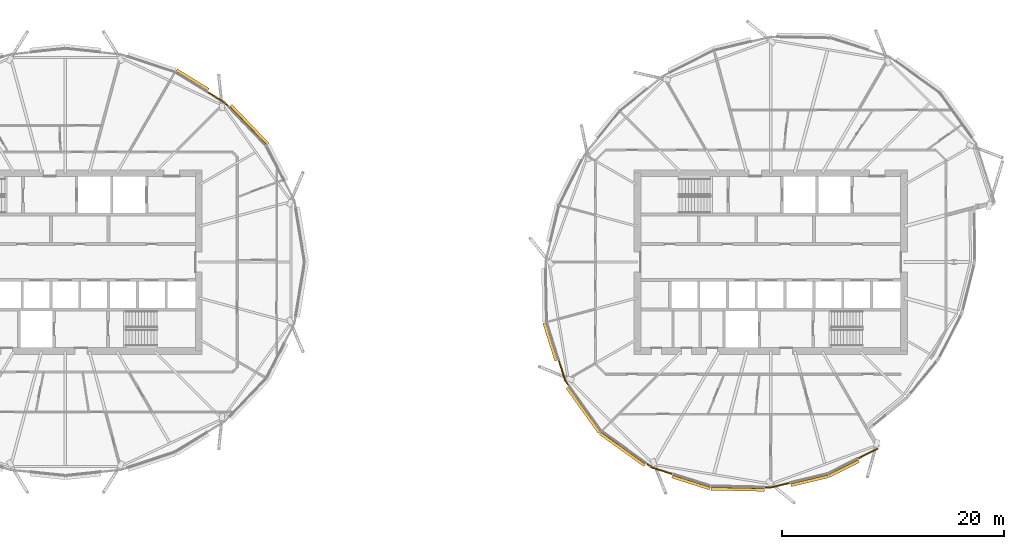
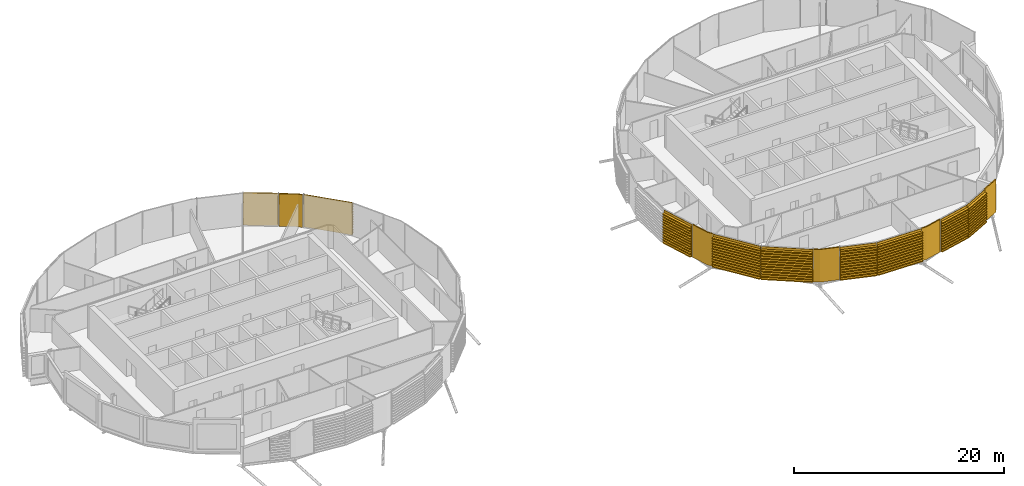
# One storey, part 34 of 36: 14 coverings.
"""IFC4 building model written with IfcOpenShell, lengths in metres."""

from ifc_helpers import new_model, si_unit, direction, frame, origin, place, context, subcontext, project, spatial, polyline, outline, extrude, material, layer, layer_set, material_profile, profile_set, type_object, element, save


model = new_model("IFC4")

# Units and contexts
model_context = context("Model", 3, precision=1e-05, world=origin(), true_north=direction((0.0, 1.0)))
body_context = subcontext(model_context, "Body", "Model", "MODEL_VIEW")
ifc_project = project(units=[si_unit("LENGTHUNIT", "METRE"), si_unit("AREAUNIT", "SQUARE_METRE"), si_unit("VOLUMEUNIT", "CUBIC_METRE"), si_unit("PLANEANGLEUNIT", "RADIAN"), si_unit("MASSUNIT", "GRAM", prefix="KILO")], contexts=[model_context])

# Site, building, storey
site_placement = place(None, origin())
site = spatial("IfcSite", under=ifc_project, at=site_placement, CompositionType="ELEMENT")
building_placement = place(site_placement, origin())
building = spatial("IfcBuilding", under=site, at=building_placement, Name="Rimbun Link Towers", CompositionType="ELEMENT")
storey_placement = place(building_placement, frame((0.0, 0.0, 200.699951171875)))
storey = spatial("IfcBuildingStorey", under=building, at=storey_placement, Name="L49", CompositionType="ELEMENT", Elevation=200.699951171875)

# Coverings
ifc_material_1 = material(Name="Terracotta", Category="masonry")
ifc_layer = layer(ifc_material_1, 0.1201171875)
ifc_layer_set = layer_set([ifc_layer], Name="LINK PIER terracotta cladding 120")
covering_type_1 = type_object("IfcCoveringType", Name="LINK PIER terracotta cladding 120", PredefinedType="CLADDING", material=ifc_layer_set)
covering_1_placement = place(storey_placement, origin())
element("IfcCovering", 1, at=covering_1_placement, inside=storey, type_object=covering_type_1, Name="LINK PIER cladding", PredefinedType="CLADDING", context=body_context, shape_type="SweptSolid", body=[
    extrude(outline(polyline([(-18.99267578125, 15.2607421875), (-17.441650390625, 14.308349609375), (-17.081787109375, 13.93310546875), (-16.9951171875, 14.01611328125), (-17.36572265625, 14.402587890625), (-18.9296875, 15.363037109375), (-18.99267578125, 15.2607421875)])), origin(), (0.0, 0.0, 1.0), 3.800048828125),
])
covering_2_placement = place(storey_placement, origin())
element("IfcCovering", 2, at=covering_2_placement, inside=storey, type_object=covering_type_1, Name="LINK PIER cladding", PredefinedType="CLADDING", context=body_context, shape_type="SweptSolid", body=[
    extrude(outline(polyline([(13.633544921875, -11.114501953125), (13.30126953125, -10.6513671875), (12.719482421875, -8.82177734375), (12.60498046875, -8.858154296875), (13.192626953125, -10.705810546875), (13.5361328125, -11.1845703125), (13.633544921875, -11.114501953125)])), origin(), (0.0, 0.0, 1.0), 3.800048828125),
])
covering_3_placement = place(storey_placement, origin())
element("IfcCovering", 3, at=covering_3_placement, inside=storey, type_object=covering_type_1, Name="LINK PIER cladding", PredefinedType="CLADDING", context=body_context, shape_type="SweptSolid", body=[
    extrude(outline(polyline([(22.92822265625, -19.030517578125), (21.0986328125, -18.44873046875), (20.594970703125, -18.087158203125), (20.52490234375, -18.184814453125), (21.044189453125, -18.557373046875), (22.891845703125, -19.14501953125), (22.92822265625, -19.030517578125)])), origin(), (0.0, 0.0, 1.0), 3.800048828125),
])
covering_4_placement = place(storey_placement, origin())
element("IfcCovering", 4, at=covering_4_placement, inside=storey, type_object=covering_type_1, Name="LINK PIER cladding", PredefinedType="CLADDING", context=body_context, shape_type="SweptSolid", body=[
    extrude(outline(polyline([(33.471435546875, -19.823486328125), (31.75, -20.235107421875), (31.230224609375, -20.22412109375), (31.2275390625, -20.34423828125), (31.762939453125, -20.35546875), (33.499267578125, -19.940185546875), (33.471435546875, -19.823486328125)])), origin(), (0.0, 0.0, 1.0), 3.800048828125),
])
covering_5_placement = place(storey_placement, origin())
element("IfcCovering", 5, at=covering_5_placement, inside=storey, type_object=covering_type_1, Name="LINK PIER cladding", PredefinedType="CLADDING", context=body_context, shape_type="SweptSolid", body=[
    extrude(outline(polyline([(41.3798828125, -16.7392578125), (39.6015625, -17.63232421875), (39.6552734375, -17.739501953125), (41.433837890625, -16.846435546875), (41.3798828125, -16.7392578125)])), origin(), (0.0, 0.0, 1.0), 3.800048828125),
])
ifc_material_2 = material(Name="Terracotta", Category="masonry")
ifc_material_profile = material_profile(ifc_material_2, outline(polyline([(0.123046875, 0.0), (0.1630859375, 0.0), (0.1630859375, 0.10009765625), (0.423095703125, 0.10009765625), (0.423095703125, 0.219970703125), (0.1630859375, 0.219970703125), (0.1630859375, 0.39990234375), (0.423095703125, 0.39990234375), (0.423095703125, 0.52001953125), (0.1630859375, 0.52001953125), (0.1630859375, 0.699951171875), (0.423095703125, 0.699951171875), (0.423095703125, 0.820068359375), (0.1630859375, 0.820068359375), (0.1630859375, 1.0), (0.423095703125, 1.0), (0.423095703125, 1.1201171875), (0.1630859375, 1.1201171875), (0.1630859375, 1.300048828125), (0.423095703125, 1.300048828125), (0.423095703125, 1.419921875), (0.1630859375, 1.419921875), (0.1630859375, 1.60009765625), (0.423095703125, 1.60009765625), (0.423095703125, 1.719970703125), (0.1630859375, 1.719970703125), (0.1630859375, 1.89990234375), (0.423095703125, 1.89990234375), (0.423095703125, 2.02001953125), (0.1630859375, 2.02001953125), (0.1630859375, 2.199951171875), (0.423095703125, 2.199951171875), (0.423095703125, 2.320068359375), (0.1630859375, 2.320068359375), (0.1630859375, 2.5), (0.423095703125, 2.5), (0.423095703125, 2.6201171875), (0.1630859375, 2.6201171875), (0.1630859375, 2.800048828125), (0.423095703125, 2.800048828125), (0.423095703125, 2.919921875), (0.1630859375, 2.919921875), (0.1630859375, 3.10009765625), (0.423095703125, 3.10009765625), (0.423095703125, 3.219970703125), (0.1630859375, 3.219970703125), (0.1630859375, 3.39990234375), (0.423095703125, 3.39990234375), (0.423095703125, 3.52001953125), (0.1630859375, 3.52001953125), (0.1630859375, 3.800048828125), (0.123046875, 3.800048828125), (0.123046875, 0.0)])), Name="BAGUETTE 120X300")
ifc_profile_set = profile_set([ifc_material_profile], Name="Terracotta")
covering_type_2 = type_object("IfcCoveringType", Name="TERRACOTTA BAGUETTE 120X300 H3800", PredefinedType="CLADDING", material=ifc_profile_set)
covering_6_placement = place(storey_placement, frame((-17.06103515625, 13.911376953125, 0.0), z_axis=(0.692026893446, -0.721871719039, 0.0), x_axis=(0.721871719039, 0.692026893446, 0.0)))
element("IfcCovering", 6, at=covering_6_placement, inside=storey, type_object=covering_type_2, Name="TERRACOTTA BAGUETTE", PredefinedType="CLADDING", context=body_context, shape_type="SweptSolid", body=[
    extrude(outline(polyline([(0.123046875, 0.0), (0.1630859375, 0.0), (0.1630859375, 0.10009765625), (0.423095703125, 0.10009765625), (0.423095703125, 0.219970703125), (0.1630859375, 0.219970703125), (0.1630859375, 0.39990234375), (0.423095703125, 0.39990234375), (0.423095703125, 0.52001953125), (0.1630859375, 0.52001953125), (0.1630859375, 0.699951171875), (0.423095703125, 0.699951171875), (0.423095703125, 0.820068359375), (0.1630859375, 0.820068359375), (0.1630859375, 1.0), (0.423095703125, 1.0), (0.423095703125, 1.1201171875), (0.1630859375, 1.1201171875), (0.1630859375, 1.300048828125), (0.423095703125, 1.300048828125), (0.423095703125, 1.419921875), (0.1630859375, 1.419921875), (0.1630859375, 1.60009765625), (0.423095703125, 1.60009765625), (0.423095703125, 1.719970703125), (0.1630859375, 1.719970703125), (0.1630859375, 1.89990234375), (0.423095703125, 1.89990234375), (0.423095703125, 2.02001953125), (0.1630859375, 2.02001953125), (0.1630859375, 2.199951171875), (0.423095703125, 2.199951171875), (0.423095703125, 2.320068359375), (0.1630859375, 2.320068359375), (0.1630859375, 2.5), (0.423095703125, 2.5), (0.423095703125, 2.6201171875), (0.1630859375, 2.6201171875), (0.1630859375, 2.800048828125), (0.423095703125, 2.800048828125), (0.423095703125, 2.919921875), (0.1630859375, 2.919921875), (0.1630859375, 3.10009765625), (0.423095703125, 3.10009765625), (0.423095703125, 3.219970703125), (0.1630859375, 3.219970703125), (0.1630859375, 3.39990234375), (0.423095703125, 3.39990234375), (0.423095703125, 3.52001953125), (0.1630859375, 3.52001953125), (0.1630859375, 3.800048828125), (0.123046875, 3.800048828125), (0.123046875, 0.0)])), origin(), (0.0, 0.0, 1.0), 4.8427734375),
])
covering_7_placement = place(storey_placement, frame((-21.906494140625, 17.0498046875, 0.0), z_axis=(0.852192074263, -0.523229078476, 0.0), x_axis=(0.523229078476, 0.852192074263, 0.0)))
element("IfcCovering", 7, at=covering_7_placement, inside=storey, type_object=covering_type_2, Name="TERRACOTTA BAGUETTE", PredefinedType="CLADDING", context=body_context, shape_type="SweptSolid", body=[
    extrude(outline(polyline([(0.123046875, 0.0), (0.1630859375, 0.0), (0.1630859375, 0.10009765625), (0.423095703125, 0.10009765625), (0.423095703125, 0.219970703125), (0.1630859375, 0.219970703125), (0.1630859375, 0.39990234375), (0.423095703125, 0.39990234375), (0.423095703125, 0.52001953125), (0.1630859375, 0.52001953125), (0.1630859375, 0.699951171875), (0.423095703125, 0.699951171875), (0.423095703125, 0.820068359375), (0.1630859375, 0.820068359375), (0.1630859375, 1.0), (0.423095703125, 1.0), (0.423095703125, 1.1201171875), (0.1630859375, 1.1201171875), (0.1630859375, 1.300048828125), (0.423095703125, 1.300048828125), (0.423095703125, 1.419921875), (0.1630859375, 1.419921875), (0.1630859375, 1.60009765625), (0.423095703125, 1.60009765625), (0.423095703125, 1.719970703125), (0.1630859375, 1.719970703125), (0.1630859375, 1.89990234375), (0.423095703125, 1.89990234375), (0.423095703125, 2.02001953125), (0.1630859375, 2.02001953125), (0.1630859375, 2.199951171875), (0.423095703125, 2.199951171875), (0.423095703125, 2.320068359375), (0.1630859375, 2.320068359375), (0.1630859375, 2.5), (0.423095703125, 2.5), (0.423095703125, 2.6201171875), (0.1630859375, 2.6201171875), (0.1630859375, 2.800048828125), (0.423095703125, 2.800048828125), (0.423095703125, 2.919921875), (0.1630859375, 2.919921875), (0.1630859375, 3.10009765625), (0.423095703125, 3.10009765625), (0.423095703125, 3.219970703125), (0.1630859375, 3.219970703125), (0.1630859375, 3.39990234375), (0.423095703125, 3.39990234375), (0.423095703125, 3.52001953125), (0.1630859375, 3.52001953125), (0.1630859375, 3.800048828125), (0.123046875, 3.800048828125), (0.123046875, 0.0)])), origin(), (0.0, 0.0, 1.0), 3.389404296875),
])
covering_8_placement = place(storey_placement, frame((12.710205078125, -8.793212890625, 0.0), z_axis=(-0.303065321002, 0.952969785043, 0.0), x_axis=(-0.952969785043, -0.303065321002, 0.0)))
element("IfcCovering", 8, at=covering_8_placement, inside=storey, type_object=covering_type_2, Name="TERRACOTTA BAGUETTE", PredefinedType="CLADDING", context=body_context, shape_type="SweptSolid", body=[
    extrude(outline(polyline([(0.123046875, 0.0), (0.1630859375, 0.0), (0.1630859375, 0.10009765625), (0.423095703125, 0.10009765625), (0.423095703125, 0.219970703125), (0.1630859375, 0.219970703125), (0.1630859375, 0.39990234375), (0.423095703125, 0.39990234375), (0.423095703125, 0.52001953125), (0.1630859375, 0.52001953125), (0.1630859375, 0.699951171875), (0.423095703125, 0.699951171875), (0.423095703125, 0.820068359375), (0.1630859375, 0.820068359375), (0.1630859375, 1.0), (0.423095703125, 1.0), (0.423095703125, 1.1201171875), (0.1630859375, 1.1201171875), (0.1630859375, 1.300048828125), (0.423095703125, 1.300048828125), (0.423095703125, 1.419921875), (0.1630859375, 1.419921875), (0.1630859375, 1.60009765625), (0.423095703125, 1.60009765625), (0.423095703125, 1.719970703125), (0.1630859375, 1.719970703125), (0.1630859375, 1.89990234375), (0.423095703125, 1.89990234375), (0.423095703125, 2.02001953125), (0.1630859375, 2.02001953125), (0.1630859375, 2.199951171875), (0.423095703125, 2.199951171875), (0.423095703125, 2.320068359375), (0.1630859375, 2.320068359375), (0.1630859375, 2.5), (0.423095703125, 2.5), (0.423095703125, 2.6201171875), (0.1630859375, 2.6201171875), (0.1630859375, 2.800048828125), (0.423095703125, 2.800048828125), (0.423095703125, 2.919921875), (0.1630859375, 2.919921875), (0.1630859375, 3.10009765625), (0.423095703125, 3.10009765625), (0.423095703125, 3.219970703125), (0.1630859375, 3.219970703125), (0.1630859375, 3.39990234375), (0.423095703125, 3.39990234375), (0.423095703125, 3.52001953125), (0.1630859375, 3.52001953125), (0.1630859375, 3.800048828125), (0.123046875, 3.800048828125), (0.123046875, 0.0)])), origin(), (0.0, 0.0, 1.0), 3.569580078125),
])
covering_9_placement = place(storey_placement, frame((16.558837890625, -15.191162109375, 0.0), z_axis=(-0.582996394651, 0.812474740422, 0.0), x_axis=(-0.812474740422, -0.582996394651, 0.0)))
element("IfcCovering", 9, at=covering_9_placement, inside=storey, type_object=covering_type_2, Name="TERRACOTTA BAGUETTE", PredefinedType="CLADDING", context=body_context, shape_type="SweptSolid", body=[
    extrude(outline(polyline([(0.123046875, 0.0), (0.1630859375, 0.0), (0.1630859375, 0.10009765625), (0.423095703125, 0.10009765625), (0.423095703125, 0.219970703125), (0.1630859375, 0.219970703125), (0.1630859375, 0.39990234375), (0.423095703125, 0.39990234375), (0.423095703125, 0.52001953125), (0.1630859375, 0.52001953125), (0.1630859375, 0.699951171875), (0.423095703125, 0.699951171875), (0.423095703125, 0.820068359375), (0.1630859375, 0.820068359375), (0.1630859375, 1.0), (0.423095703125, 1.0), (0.423095703125, 1.1201171875), (0.1630859375, 1.1201171875), (0.1630859375, 1.300048828125), (0.423095703125, 1.300048828125), (0.423095703125, 1.419921875), (0.1630859375, 1.419921875), (0.1630859375, 1.60009765625), (0.423095703125, 1.60009765625), (0.423095703125, 1.719970703125), (0.1630859375, 1.719970703125), (0.1630859375, 1.89990234375), (0.423095703125, 1.89990234375), (0.423095703125, 2.02001953125), (0.1630859375, 2.02001953125), (0.1630859375, 2.199951171875), (0.423095703125, 2.199951171875), (0.423095703125, 2.320068359375), (0.1630859375, 2.320068359375), (0.1630859375, 2.5), (0.423095703125, 2.5), (0.423095703125, 2.6201171875), (0.1630859375, 2.6201171875), (0.1630859375, 2.800048828125), (0.423095703125, 2.800048828125), (0.423095703125, 2.919921875), (0.1630859375, 2.919921875), (0.1630859375, 3.10009765625), (0.423095703125, 3.10009765625), (0.423095703125, 3.219970703125), (0.1630859375, 3.219970703125), (0.1630859375, 3.39990234375), (0.423095703125, 3.39990234375), (0.423095703125, 3.52001953125), (0.1630859375, 3.52001953125), (0.1630859375, 3.800048828125), (0.123046875, 3.800048828125), (0.123046875, 0.0)])), origin(), (0.0, 0.0, 1.0), 4.987548828125),
])
covering_10_placement = place(storey_placement, frame((20.570556640625, -18.06982421875, 0.0), z_axis=(-0.812472062268, 0.583000126959, 0.0), x_axis=(-0.583000126959, -0.812472062268, 0.0)))
element("IfcCovering", 10, at=covering_10_placement, inside=storey, type_object=covering_type_2, Name="TERRACOTTA BAGUETTE", PredefinedType="CLADDING", context=body_context, shape_type="SweptSolid", body=[
    extrude(outline(polyline([(0.123046875, 0.0), (0.1630859375, 0.0), (0.1630859375, 0.10009765625), (0.423095703125, 0.10009765625), (0.423095703125, 0.219970703125), (0.1630859375, 0.219970703125), (0.1630859375, 0.39990234375), (0.423095703125, 0.39990234375), (0.423095703125, 0.52001953125), (0.1630859375, 0.52001953125), (0.1630859375, 0.699951171875), (0.423095703125, 0.699951171875), (0.423095703125, 0.820068359375), (0.1630859375, 0.820068359375), (0.1630859375, 1.0), (0.423095703125, 1.0), (0.423095703125, 1.1201171875), (0.1630859375, 1.1201171875), (0.1630859375, 1.300048828125), (0.423095703125, 1.300048828125), (0.423095703125, 1.419921875), (0.1630859375, 1.419921875), (0.1630859375, 1.60009765625), (0.423095703125, 1.60009765625), (0.423095703125, 1.719970703125), (0.1630859375, 1.719970703125), (0.1630859375, 1.89990234375), (0.423095703125, 1.89990234375), (0.423095703125, 2.02001953125), (0.1630859375, 2.02001953125), (0.1630859375, 2.199951171875), (0.423095703125, 2.199951171875), (0.423095703125, 2.320068359375), (0.1630859375, 2.320068359375), (0.1630859375, 2.5), (0.423095703125, 2.5), (0.423095703125, 2.6201171875), (0.1630859375, 2.6201171875), (0.1630859375, 2.800048828125), (0.423095703125, 2.800048828125), (0.423095703125, 2.919921875), (0.1630859375, 2.919921875), (0.1630859375, 3.10009765625), (0.423095703125, 3.10009765625), (0.423095703125, 3.219970703125), (0.1630859375, 3.219970703125), (0.1630859375, 3.39990234375), (0.423095703125, 3.39990234375), (0.423095703125, 3.52001953125), (0.1630859375, 3.52001953125), (0.1630859375, 3.800048828125), (0.123046875, 3.800048828125), (0.123046875, 0.0)])), origin(), (0.0, 0.0, 1.0), 4.937744140625),
])
covering_11_placement = place(storey_placement, frame((26.3583984375, -20.12158203125, 0.0), z_axis=(-0.952969785043, 0.303065321002, 0.0), x_axis=(-0.303065321002, -0.952969785043, 0.0)))
element("IfcCovering", 11, at=covering_11_placement, inside=storey, type_object=covering_type_2, Name="TERRACOTTA BAGUETTE", PredefinedType="CLADDING", context=body_context, shape_type="SweptSolid", body=[
    extrude(outline(polyline([(0.123046875, 0.0), (0.1630859375, 0.0), (0.1630859375, 0.10009765625), (0.423095703125, 0.10009765625), (0.423095703125, 0.219970703125), (0.1630859375, 0.219970703125), (0.1630859375, 0.39990234375), (0.423095703125, 0.39990234375), (0.423095703125, 0.52001953125), (0.1630859375, 0.52001953125), (0.1630859375, 0.699951171875), (0.423095703125, 0.699951171875), (0.423095703125, 0.820068359375), (0.1630859375, 0.820068359375), (0.1630859375, 1.0), (0.423095703125, 1.0), (0.423095703125, 1.1201171875), (0.1630859375, 1.1201171875), (0.1630859375, 1.300048828125), (0.423095703125, 1.300048828125), (0.423095703125, 1.419921875), (0.1630859375, 1.419921875), (0.1630859375, 1.60009765625), (0.423095703125, 1.60009765625), (0.423095703125, 1.719970703125), (0.1630859375, 1.719970703125), (0.1630859375, 1.89990234375), (0.423095703125, 1.89990234375), (0.423095703125, 2.02001953125), (0.1630859375, 2.02001953125), (0.1630859375, 2.199951171875), (0.423095703125, 2.199951171875), (0.423095703125, 2.320068359375), (0.1630859375, 2.320068359375), (0.1630859375, 2.5), (0.423095703125, 2.5), (0.423095703125, 2.6201171875), (0.1630859375, 2.6201171875), (0.1630859375, 2.800048828125), (0.423095703125, 2.800048828125), (0.423095703125, 2.919921875), (0.1630859375, 2.919921875), (0.1630859375, 3.10009765625), (0.423095703125, 3.10009765625), (0.423095703125, 3.219970703125), (0.1630859375, 3.219970703125), (0.1630859375, 3.39990234375), (0.423095703125, 3.39990234375), (0.423095703125, 3.52001953125), (0.1630859375, 3.52001953125), (0.1630859375, 3.800048828125), (0.123046875, 3.800048828125), (0.123046875, 0.0)])), origin(), (0.0, 0.0, 1.0), 3.569580078125),
])
covering_12_placement = place(storey_placement, frame((31.2001953125, -20.2236328125, 0.0), z_axis=(-0.99977795302, 0.021072367102, 0.0), x_axis=(-0.021072367102, -0.99977795302, 0.0)))
element("IfcCovering", 12, at=covering_12_placement, inside=storey, type_object=covering_type_2, Name="TERRACOTTA BAGUETTE", PredefinedType="CLADDING", context=body_context, shape_type="SweptSolid", body=[
    extrude(outline(polyline([(0.123046875, 0.0), (0.1630859375, 0.0), (0.1630859375, 0.10009765625), (0.423095703125, 0.10009765625), (0.423095703125, 0.219970703125), (0.1630859375, 0.219970703125), (0.1630859375, 0.39990234375), (0.423095703125, 0.39990234375), (0.423095703125, 0.52001953125), (0.1630859375, 0.52001953125), (0.1630859375, 0.699951171875), (0.423095703125, 0.699951171875), (0.423095703125, 0.820068359375), (0.1630859375, 0.820068359375), (0.1630859375, 1.0), (0.423095703125, 1.0), (0.423095703125, 1.1201171875), (0.1630859375, 1.1201171875), (0.1630859375, 1.300048828125), (0.423095703125, 1.300048828125), (0.423095703125, 1.419921875), (0.1630859375, 1.419921875), (0.1630859375, 1.60009765625), (0.423095703125, 1.60009765625), (0.423095703125, 1.719970703125), (0.1630859375, 1.719970703125), (0.1630859375, 1.89990234375), (0.423095703125, 1.89990234375), (0.423095703125, 2.02001953125), (0.1630859375, 2.02001953125), (0.1630859375, 2.199951171875), (0.423095703125, 2.199951171875), (0.423095703125, 2.320068359375), (0.1630859375, 2.320068359375), (0.1630859375, 2.5), (0.423095703125, 2.5), (0.423095703125, 2.6201171875), (0.1630859375, 2.6201171875), (0.1630859375, 2.800048828125), (0.423095703125, 2.800048828125), (0.423095703125, 2.919921875), (0.1630859375, 2.919921875), (0.1630859375, 3.10009765625), (0.423095703125, 3.10009765625), (0.423095703125, 3.219970703125), (0.1630859375, 3.219970703125), (0.1630859375, 3.39990234375), (0.423095703125, 3.39990234375), (0.423095703125, 3.52001953125), (0.1630859375, 3.52001953125), (0.1630859375, 3.800048828125), (0.123046875, 3.800048828125), (0.123046875, 0.0)])), origin(), (0.0, 0.0, 1.0), 4.8427734375),
])
covering_13_placement = place(storey_placement, frame((36.845458984375, -19.016357421875, 0.0), z_axis=(-0.97256422838, -0.232634523825, 0.0), x_axis=(0.232634523825, -0.97256422838, 0.0)))
element("IfcCovering", 13, at=covering_13_placement, inside=storey, type_object=covering_type_2, Name="TERRACOTTA BAGUETTE", PredefinedType="CLADDING", context=body_context, shape_type="SweptSolid", body=[
    extrude(outline(polyline([(0.123046875, 0.0), (0.1630859375, 0.0), (0.1630859375, 0.10009765625), (0.423095703125, 0.10009765625), (0.423095703125, 0.219970703125), (0.1630859375, 0.219970703125), (0.1630859375, 0.39990234375), (0.423095703125, 0.39990234375), (0.423095703125, 0.52001953125), (0.1630859375, 0.52001953125), (0.1630859375, 0.699951171875), (0.423095703125, 0.699951171875), (0.423095703125, 0.820068359375), (0.1630859375, 0.820068359375), (0.1630859375, 1.0), (0.423095703125, 1.0), (0.423095703125, 1.1201171875), (0.1630859375, 1.1201171875), (0.1630859375, 1.300048828125), (0.423095703125, 1.300048828125), (0.423095703125, 1.419921875), (0.1630859375, 1.419921875), (0.1630859375, 1.60009765625), (0.423095703125, 1.60009765625), (0.423095703125, 1.719970703125), (0.1630859375, 1.719970703125), (0.1630859375, 1.89990234375), (0.423095703125, 1.89990234375), (0.423095703125, 2.02001953125), (0.1630859375, 2.02001953125), (0.1630859375, 2.199951171875), (0.423095703125, 2.199951171875), (0.423095703125, 2.320068359375), (0.1630859375, 2.320068359375), (0.1630859375, 2.5), (0.423095703125, 2.5), (0.423095703125, 2.6201171875), (0.1630859375, 2.6201171875), (0.1630859375, 2.800048828125), (0.423095703125, 2.800048828125), (0.423095703125, 2.919921875), (0.1630859375, 2.919921875), (0.1630859375, 3.10009765625), (0.423095703125, 3.10009765625), (0.423095703125, 3.219970703125), (0.1630859375, 3.219970703125), (0.1630859375, 3.39990234375), (0.423095703125, 3.39990234375), (0.423095703125, 3.52001953125), (0.1630859375, 3.52001953125), (0.1630859375, 3.800048828125), (0.123046875, 3.800048828125), (0.123046875, 0.0)])), origin(), (0.0, 0.0, 1.0), 3.43896484375),
])
covering_14_placement = place(storey_placement, frame((39.57470703125, -17.645751953125, 0.0), z_axis=(-0.893642412671, -0.448779721329, 0.0), x_axis=(0.448779721329, -0.893642412671, 0.0)))
element("IfcCovering", 14, at=covering_14_placement, inside=storey, type_object=covering_type_2, Name="TERRACOTTA BAGUETTE", PredefinedType="CLADDING", context=body_context, shape_type="SweptSolid", body=[
    extrude(outline(polyline([(0.123046875, 0.0), (0.1630859375, 0.0), (0.1630859375, 0.10009765625), (0.423095703125, 0.10009765625), (0.423095703125, 0.219970703125), (0.1630859375, 0.219970703125), (0.1630859375, 0.39990234375), (0.423095703125, 0.39990234375), (0.423095703125, 0.52001953125), (0.1630859375, 0.52001953125), (0.1630859375, 0.699951171875), (0.423095703125, 0.699951171875), (0.423095703125, 0.820068359375), (0.1630859375, 0.820068359375), (0.1630859375, 1.0), (0.423095703125, 1.0), (0.423095703125, 1.1201171875), (0.1630859375, 1.1201171875), (0.1630859375, 1.300048828125), (0.423095703125, 1.300048828125), (0.423095703125, 1.419921875), (0.1630859375, 1.419921875), (0.1630859375, 1.60009765625), (0.423095703125, 1.60009765625), (0.423095703125, 1.719970703125), (0.1630859375, 1.719970703125), (0.1630859375, 1.89990234375), (0.423095703125, 1.89990234375), (0.423095703125, 2.02001953125), (0.1630859375, 2.02001953125), (0.1630859375, 2.199951171875), (0.423095703125, 2.199951171875), (0.423095703125, 2.320068359375), (0.1630859375, 2.320068359375), (0.1630859375, 2.5), (0.423095703125, 2.5), (0.423095703125, 2.6201171875), (0.1630859375, 2.6201171875), (0.1630859375, 2.800048828125), (0.423095703125, 2.800048828125), (0.423095703125, 2.919921875), (0.1630859375, 2.919921875), (0.1630859375, 3.10009765625), (0.423095703125, 3.10009765625), (0.423095703125, 3.219970703125), (0.1630859375, 3.219970703125), (0.1630859375, 3.39990234375), (0.423095703125, 3.39990234375), (0.423095703125, 3.52001953125), (0.1630859375, 3.52001953125), (0.1630859375, 3.800048828125), (0.123046875, 3.800048828125), (0.123046875, 0.0)])), origin(), (0.0, 0.0, 1.0), 3.053955078125),
])

save(model, "model.ifc")
